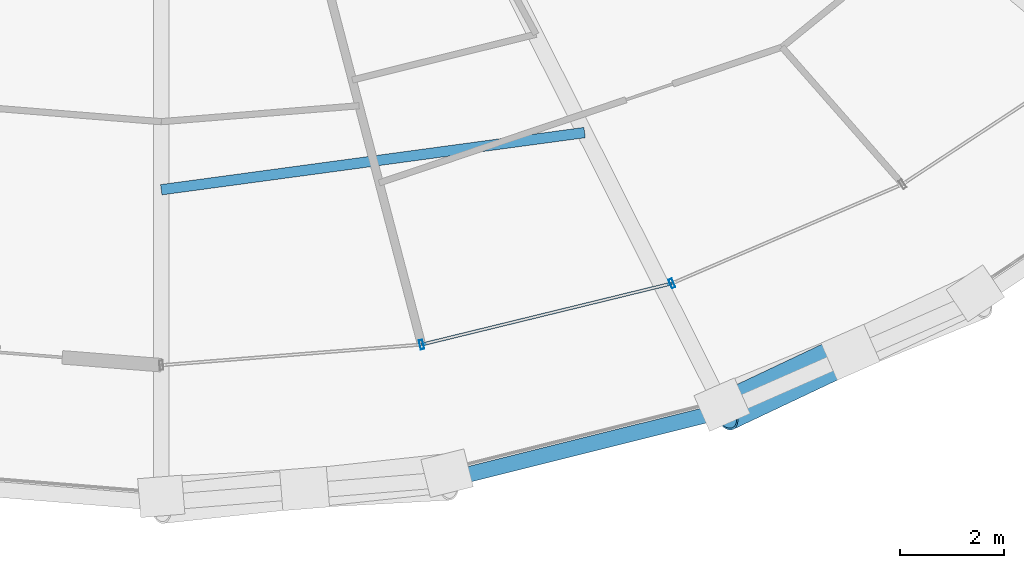
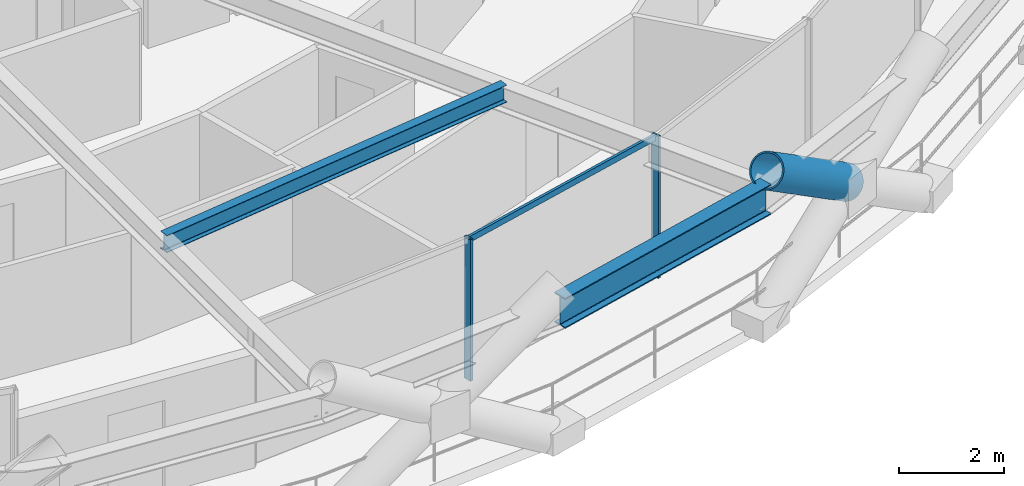
# One storey, part 7 of 19: 4 members, 2 beams, 1 element without a shape of its own.
"""IFC4 building model written with IfcOpenShell, lengths in metres."""

import ifcopenshell
import ifcopenshell.guid

model = None  # the IFC model being written
_history = None  # IfcOwnerHistory: only IFC2X3 demands one
_inside = {}  # id of a spatial element -> (the spatial element, [elements in it])
_under = {}  # id of a project, library or spatial element -> (it, [spatial elements below it])
_declared = {}  # id of a project -> (the project, [libraries it declares])
_typed = {}  # id of a type object -> (the type object, [elements of that type])
_made_of = {}  # id of a material, layer set ... -> (it, [elements and type objects made of it])


def new_model(schema):
    """Start an empty IFC model of exactly this schema.

    Asked for "IFC4X3", IfcOpenShell would pick the latest addendum, in which some entities
    have other attributes; the version numbers below select the first issue.
    IFC2X3 requires an IfcOwnerHistory on every rooted entity: one is made here for all.
    """
    global model, _history
    if schema == "IFC4X3":
        model = ifcopenshell.file(schema_version=(4, 3, 0, 0))
    else:
        model = ifcopenshell.file(schema=schema)
    _inside.clear()
    _under.clear()
    _declared.clear()
    _typed.clear()
    _made_of.clear()
    _history = None
    if model.schema == "IFC2X3":
        org = make("IfcOrganization", Name="unknown")
        user = make(
            "IfcPersonAndOrganization",
            ThePerson=make("IfcPerson", FamilyName="unknown"),
            TheOrganization=org,
        )
        app = make(
            "IfcApplication",
            ApplicationDeveloper=org,
            Version="unknown",
            ApplicationFullName="unknown",
            ApplicationIdentifier="unknown",
        )
        _history = make(
            "IfcOwnerHistory",
            OwningUser=user,
            OwningApplication=app,
            ChangeAction="ADDED",
            CreationDate=0,
        )
    return model


def make(cls, **values):
    """One entity of the class cls with the attributes given. An attribute that is None is left unset."""
    return model.create_entity(
        cls, **{name: value for name, value in values.items() if value is not None}
    )


def rooted(cls, **values):
    """An entity with a GlobalId (a new one), such as an element, a storey or a relation."""
    return make(cls, GlobalId=ifcopenshell.guid.new(), OwnerHistory=_history, **values)


def si_unit(unit_type, name, prefix=None):
    """IfcSIUnit, for example si_unit("LENGTHUNIT", "METRE", prefix="MILLI")."""
    return make("IfcSIUnit", UnitType=unit_type, Prefix=prefix, Name=name)


def assignment(units):
    """IfcUnitAssignment: the units of a project."""
    return None if units is None else make("IfcUnitAssignment", Units=units)


def point(xyz):
    """IfcCartesianPoint."""
    return None if xyz is None else make("IfcCartesianPoint", Coordinates=xyz)


def direction(xyz):
    """IfcDirection."""
    return None if xyz is None else make("IfcDirection", DirectionRatios=xyz)


def frame(location, z_axis=None, x_axis=None):
    """IfcAxis2Placement3D, a coordinate frame: its origin and axes. An axis left out is left unset."""
    return make(
        "IfcAxis2Placement3D",
        Location=point(location),
        Axis=direction(z_axis),
        RefDirection=direction(x_axis),
    )


def frame_2d(location, x_axis=None):
    """IfcAxis2Placement2D, a coordinate frame in the plane: its origin and x axis."""
    return make(
        "IfcAxis2Placement2D", Location=point(location), RefDirection=direction(x_axis)
    )


def origin():
    """The frame at (0, 0, 0) with its axes left unset."""
    return frame((0.0, 0.0, 0.0))


def origin_2d():
    """The frame at (0, 0) in the plane with its x axis left unset."""
    return frame_2d((0.0, 0.0))


def place(relative_to, where):
    """IfcLocalPlacement: puts the frame where relative to a parent placement (None: the world)."""
    return make(
        "IfcLocalPlacement", PlacementRelTo=relative_to, RelativePlacement=where
    )


def context(
    kind, dimensions, precision=None, world=None, true_north=None, identifier=None
):
    """IfcGeometricRepresentationContext, for example the 3D "Model" context."""
    return make(
        "IfcGeometricRepresentationContext",
        ContextIdentifier=identifier,
        ContextType=kind,
        CoordinateSpaceDimension=dimensions,
        Precision=precision,
        WorldCoordinateSystem=world,
        TrueNorth=true_north,
    )


def subcontext(parent, identifier, kind, view, scale=None):
    """IfcGeometricRepresentationSubContext, for example "Body" below "Model"."""
    return make(
        "IfcGeometricRepresentationSubContext",
        ContextIdentifier=identifier,
        ContextType=kind,
        ParentContext=parent,
        TargetScale=scale,
        TargetView=view,
    )


def project(units=None, contexts=None):
    """IfcProject with its units and contexts."""
    return rooted(
        "IfcProject",
        Name="project",
        RepresentationContexts=contexts,
        UnitsInContext=assignment(units),
    )


def spatial(cls, under=None, at=None, **own):
    """A site, building, storey or space (cls), placed at a placement, below another one or the project."""
    s = rooted(cls, ObjectPlacement=at, **own)
    if under is not None:
        _under.setdefault(under.id(), (under, []))[1].append(s)
    return s


def profile(cls, at=None, kind="AREA", **sizes):
    """A parametric profile (cls). Its sizes go by their IFC names, for example OverallWidth=200.0."""
    return make(cls, ProfileType=kind, Position=at, **sizes)


def hollow_rectangle(**sizes):
    """IfcRectangleHollowProfileDef."""
    return profile("IfcRectangleHollowProfileDef", **sizes)


def hollow_circle(**sizes):
    """IfcCircleHollowProfileDef."""
    return profile("IfcCircleHollowProfileDef", **sizes)


def i_section(**sizes):
    """IfcIShapeProfileDef."""
    return profile("IfcIShapeProfileDef", **sizes)


def extrude(swept, where, along, depth):
    """IfcExtrudedAreaSolid: the profile swept, set in the frame where, extruded along a direction by depth."""
    return make(
        "IfcExtrudedAreaSolid",
        SweptArea=swept,
        Position=where,
        ExtrudedDirection=direction(along),
        Depth=depth,
    )


def shape(context_of_items, identifier, shape_type, items):
    """IfcShapeRepresentation: the items that make up one representation, for example the "Body"."""
    return make(
        "IfcShapeRepresentation",
        ContextOfItems=context_of_items,
        RepresentationIdentifier=identifier,
        RepresentationType=shape_type,
        Items=items,
    )


def material(Name=None, Category=None):
    """IfcMaterial."""
    return make("IfcMaterial", Name=Name, Category=Category)


def layer(
    of_material, thickness, ventilated=None, Name=None, Category=None, Priority=None
):
    """IfcMaterialLayer: one layer of a wall or slab, of a material (None: an air gap)."""
    return make(
        "IfcMaterialLayer",
        Material=of_material,
        LayerThickness=thickness,
        IsVentilated=ventilated,
        Name=Name,
        Category=Category,
        Priority=Priority,
    )


def layer_set(layers, Name=None):
    """IfcMaterialLayerSet."""
    return make("IfcMaterialLayerSet", MaterialLayers=layers, LayerSetName=Name)


def material_profile(
    of_material, cross_section, Name=None, Category=None, Priority=None
):
    """IfcMaterialProfile: a cross section and its material."""
    return make(
        "IfcMaterialProfile",
        Name=Name,
        Material=of_material,
        Profile=cross_section,
        Priority=Priority,
        Category=Category,
    )


def profile_set(profiles, Name=None, composite=None):
    """IfcMaterialProfileSet."""
    return make(
        "IfcMaterialProfileSet",
        Name=Name,
        MaterialProfiles=profiles,
        CompositeProfile=composite,
    )


def made_of(thing, what):
    """Note that an element or type object is made of a material, layer set ...; save() writes the relation."""
    if what is not None:
        _made_of.setdefault(what.id(), (what, []))[1].append(thing)
    return thing


def type_object(cls, material=None, **own):
    """A type object (cls), such as IfcWallType, which elements share."""
    return made_of(rooted(cls, **own), material)


def element(
    cls,
    number,
    at=None,
    inside=None,
    cuts=None,
    type_object=None,
    material=None,
    context=None,
    identifier="Body",
    shape_type=None,
    held_by="IfcProductDefinitionShape",
    body=None,
    shapes=None,
    **own,
):
    """One element of the class cls, such as IfcWall. Its Tag is "e" and its number.

    at: its placement. inside: the storey or other place that contains it. cuts: it is an
    opening in that element (IfcRelVoidsElement). A single representation is given by context,
    identifier, shape_type and body (its items); several are given by shapes. held_by: the class
    of the entity that holds the representations. save() writes the other relations.
    """
    e = rooted(cls, Tag="e%d" % number, ObjectPlacement=at, **own)
    if body is not None:
        shapes = [shape(context, identifier, shape_type, body)]
    if shapes is not None:
        e.Representation = make(held_by, Representations=shapes)
    if inside is not None:
        _inside.setdefault(inside.id(), (inside, []))[1].append(e)
    if cuts is not None:
        rooted(
            "IfcRelVoidsElement", RelatingBuildingElement=cuts, RelatedOpeningElement=e
        )
    if type_object is not None:
        _typed.setdefault(type_object.id(), (type_object, []))[1].append(e)
    return made_of(e, material)


def aggregate(whole, parts):
    """IfcRelAggregates: a whole, such as a stair, and the parts it consists of."""
    return rooted("IfcRelAggregates", RelatingObject=whole, RelatedObjects=parts)


def save(model, path):
    """Write the relations noted so far, then the file.

    IfcRelAggregates (storeys below a building ...), IfcRelContainedInSpatialStructure (elements
    in a storey), IfcRelDefinesByType, IfcRelAssociatesMaterial and IfcRelDeclares: one each for
    every whole, place, type object, material and project.
    """
    for whole, parts in _under.values():
        aggregate(whole, parts)
    for where, things in _inside.values():
        rooted(
            "IfcRelContainedInSpatialStructure",
            RelatedElements=things,
            RelatingStructure=where,
        )
    for kind, things in _typed.values():
        rooted("IfcRelDefinesByType", RelatedObjects=things, RelatingType=kind)
    for what, things in _made_of.values():
        rooted("IfcRelAssociatesMaterial", RelatedObjects=things, RelatingMaterial=what)
    for by, libraries in _declared.values():
        rooted("IfcRelDeclares", RelatingContext=by, RelatedDefinitions=libraries)
    model.write(path)


model = new_model("IFC4")

# Units and contexts
model_context = context("Model", 3, precision=1e-05, world=origin(), true_north=direction((0.0, 1.0)))
body_context = subcontext(model_context, "Body", "Model", "MODEL_VIEW")
ifc_project = project(units=[si_unit("LENGTHUNIT", "METRE"), si_unit("AREAUNIT", "SQUARE_METRE"), si_unit("VOLUMEUNIT", "CUBIC_METRE"), si_unit("PLANEANGLEUNIT", "RADIAN"), si_unit("MASSUNIT", "GRAM", prefix="KILO")], contexts=[model_context])

# Site, building, storey
site_placement = place(None, origin())
site = spatial("IfcSite", under=ifc_project, at=site_placement, CompositionType="ELEMENT")
building_placement = place(site_placement, origin())
building = spatial("IfcBuilding", under=site, at=building_placement, Name="Veldorina Hangang Commons", CompositionType="ELEMENT")
storey_placement = place(building_placement, frame((0.0, 0.0, 44.800048828125)))
storey = spatial("IfcBuildingStorey", under=building, at=storey_placement, Name="L10", CompositionType="ELEMENT", Elevation=44.800048828125)

# Beams
ifc_material_1 = material(Name="Steel SM355-TMC", Category="steel")
ifc_material_profile_1 = material_profile(ifc_material_1, i_section(OverallWidth=0.199951171875, OverallDepth=0.39990234375, WebThickness=0.008056640625, FlangeThickness=0.012939453125, FilletRadius=0.012939453125, at=origin_2d()), Name="H-400x200x8x13")
ifc_profile_set_1 = profile_set([ifc_material_profile_1], Name="Steel SM355-TMC")
beam_type_1 = type_object("IfcBeamType", Name="BM-JST400", PredefinedType="JOIST", material=ifc_profile_set_1)
beam_1_placement = place(storey_placement, frame((32.0, 6.73974609375, 3.139892578125), z_axis=(0.991002777755, 0.133841303348, 0.0), x_axis=(-0.133841303348, 0.991002777755, 0.0)))
element("IfcBeam", 1, at=beam_1_placement, inside=storey, type_object=beam_type_1, Name="L10 secondary floor joist 13", PredefinedType="JOIST", context=body_context, shape_type="SweptSolid", body=[
    extrude(i_section(OverallWidth=0.199951171875, OverallDepth=0.39990234375, WebThickness=0.008056640625, FlangeThickness=0.012939453125, FilletRadius=0.012939453125, at=origin_2d()), origin(), (0.0, 0.0, 1.0), 8.20654296875),
])
ifc_material_2 = material(Name="Steel SM460-TMC", Category="steel")
ifc_material_profile_2 = material_profile(ifc_material_2, i_section(OverallWidth=0.300048828125, OverallDepth=0.699951171875, WebThickness=0.012939453125, FlangeThickness=0.02392578125, FilletRadius=0.02197265625, at=origin_2d()), Name="H-700x300x13x24")
ifc_profile_set_2 = profile_set([ifc_material_profile_2], Name="Steel SM460-TMC")
beam_type_2 = type_object("IfcBeamType", Name="BM-RB700", PredefinedType="BEAM", material=ifc_profile_set_2)
beam_2_placement = place(storey_placement, frame((37.515869140625, 1.17431640625, 2.989990234375), z_axis=(0.970216014854, 0.242241376568, 0.0), x_axis=(-0.242241376568, 0.970216014854, 0.0)))
element("IfcBeam", 2, at=beam_2_placement, inside=storey, type_object=beam_type_2, Name="L10 perimeter hoop ring beam 25", PredefinedType="BEAM", context=body_context, shape_type="SweptSolid", body=[
    extrude(i_section(OverallWidth=0.300048828125, OverallDepth=0.699951171875, WebThickness=0.012939453125, FlangeThickness=0.02392578125, FilletRadius=0.02197265625, at=origin_2d()), origin(), (0.0, 0.0, 1.0), 5.466552734375),
])

# Curtain wall, members
ifc_material_3 = material(Name="Glass Low-E Triple IGU", Category="glass")
ifc_layer = layer(ifc_material_3, 0.179931640625)
ifc_layer_set = layer_set([ifc_layer], Name="Glass Low-E Triple IGU")
curtain_wall_type = type_object("IfcCurtainWallType", Name="CW-SYS-Z1", PredefinedType="NOTDEFINED", material=ifc_layer_set)
curtain_wall_placement = place(storey_placement, origin())
curtain_wall = element("IfcCurtainWall", 3, at=curtain_wall_placement, inside=storey, type_object=curtain_wall_type, Name="L10 unitised curtain wall CW-L10-R2", PredefinedType="NOTDEFINED")
ifc_material_4 = material(Name="Aluminium Anodized AA6063-T6", Category="aluminium")
ifc_material_profile_3 = material_profile(ifc_material_4, hollow_rectangle(XDim=0.070068359375, YDim=0.179931640625, WallThickness=0.00390625, at=origin_2d()), Name="ALU-RHS-180x70x4")
ifc_profile_set_3 = profile_set([ifc_material_profile_3], Name="Aluminium Anodized AA6063-T6")
member_type_1 = type_object("IfcMemberType", Name="CW-MUL-180", PredefinedType="MULLION", material=ifc_profile_set_3)
member_1_placement = place(storey_placement, frame((37.000244140625, 3.765625, 0.0), z_axis=(0.0, 0.0, 1.0), x_axis=(0.971462249028, 0.2371942215, 0.0)))
member_1 = element("IfcMember", 4, at=member_1_placement, type_object=member_type_1, Name="CW-L10-R2 vertical mullion 2", PredefinedType="MULLION", context=body_context, shape_type="SweptSolid", body=[
    extrude(hollow_rectangle(XDim=0.070068359375, YDim=0.179931640625, WallThickness=0.00390625, at=origin_2d()), origin(), (0.0, 0.0, 1.0), 3.300048828125),
])
member_2_placement = place(storey_placement, frame((41.80859375, 4.939697265625, 0.0), z_axis=(0.0, 0.0, 1.0), x_axis=(0.918584396813, 0.395224880204, 0.0)))
member_2 = element("IfcMember", 5, at=member_2_placement, type_object=member_type_1, Name="CW-L10-R2 vertical mullion 3", PredefinedType="MULLION", context=body_context, shape_type="SweptSolid", body=[
    extrude(hollow_rectangle(XDim=0.070068359375, YDim=0.179931640625, WallThickness=0.00390625, at=origin_2d()), origin(), (0.0, 0.0, 1.0), 3.300048828125),
])
ifc_material_profile_4 = material_profile(ifc_material_4, hollow_rectangle(XDim=0.06005859375, YDim=0.139892578125, WallThickness=0.00341796875, at=origin_2d()), Name="ALU-RHS-140x60x3.5")
ifc_profile_set_4 = profile_set([ifc_material_profile_4], Name="Aluminium Anodized AA6063-T6")
member_type_2 = type_object("IfcMemberType", Name="CW-TRN-140", PredefinedType="USERDEFINED", material=ifc_profile_set_4)
member_3_placement = place(storey_placement, frame((37.000244140625, 3.765625, 3.260009765625), z_axis=(0.971459654419, 0.237204847835, 0.0), x_axis=(-0.237204847835, 0.971459654419, 0.0)))
member_3 = element("IfcMember", 6, at=member_3_placement, type_object=member_type_2, Name="CW-L10-R2 facet 2 transom 1", ObjectType="TRANSOM", PredefinedType="USERDEFINED", context=body_context, shape_type="SweptSolid", body=[
    extrude(hollow_rectangle(XDim=0.06005859375, YDim=0.139892578125, WallThickness=0.00341796875, at=origin_2d()), origin(), (0.0, 0.0, 1.0), 4.94970703125),
])
aggregate(curtain_wall, [member_1, member_2, member_3])

# Member
ifc_material_profile_5 = material_profile(ifc_material_2, hollow_circle(Radius=0.375, WallThickness=0.035888671875, at=origin_2d()), Name="CHS-750x36")
ifc_profile_set_5 = profile_set([ifc_material_profile_5], Name="Steel SM460-TMC")
member_type_3 = type_object("IfcMemberType", Name="DG-CHS750", PredefinedType="BRACE", material=ifc_profile_set_5)
member_4_placement = place(storey_placement, frame((45.240478515625, 3.6171875, 1.795166015625), z_axis=(-0.748640567884, -0.354423741564, 0.560286633371), x_axis=(0.427893587532, -0.903829119773, 0.0)))
element("IfcMember", 7, at=member_4_placement, inside=storey, type_object=member_type_3, Name="L10 split perimeter diagrid upper brace 27", PredefinedType="BRACE", context=body_context, shape_type="SweptSolid", body=[
    extrude(hollow_circle(Radius=0.375, WallThickness=0.035888671875, at=origin_2d()), origin(), (0.0, 0.0, 1.0), 3.220947265625),
])

save(model, "model.ifc")
